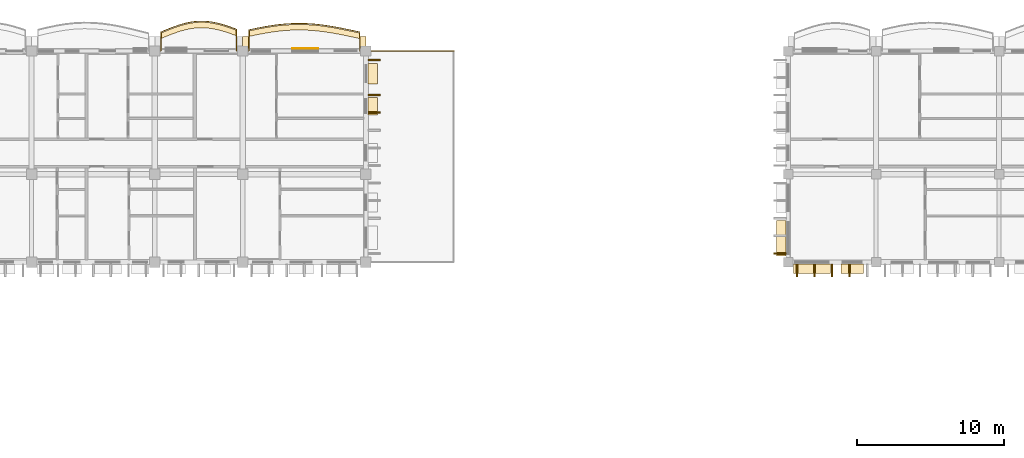
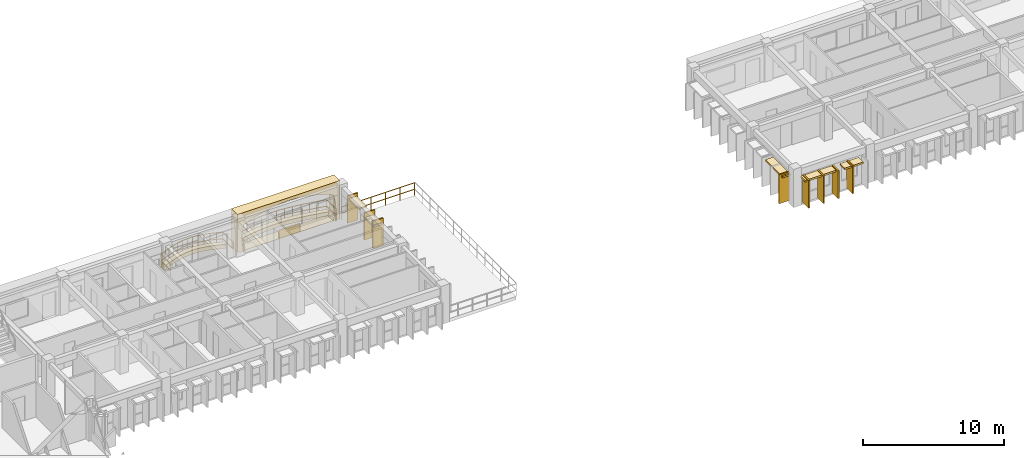
# One storey, part 51 of 66: 17 coverings, 3 railings.
"""IFC4 building model written with IfcOpenShell, lengths in metres."""

import ifcopenshell
import ifcopenshell.guid

model = None  # the IFC model being written
_history = None  # IfcOwnerHistory: only IFC2X3 demands one
_inside = {}  # id of a spatial element -> (the spatial element, [elements in it])
_under = {}  # id of a project, library or spatial element -> (it, [spatial elements below it])
_declared = {}  # id of a project -> (the project, [libraries it declares])
_typed = {}  # id of a type object -> (the type object, [elements of that type])
_made_of = {}  # id of a material, layer set ... -> (it, [elements and type objects made of it])


def new_model(schema):
    """Start an empty IFC model of exactly this schema.

    Asked for "IFC4X3", IfcOpenShell would pick the latest addendum, in which some entities
    have other attributes; the version numbers below select the first issue.
    IFC2X3 requires an IfcOwnerHistory on every rooted entity: one is made here for all.
    """
    global model, _history
    if schema == "IFC4X3":
        model = ifcopenshell.file(schema_version=(4, 3, 0, 0))
    else:
        model = ifcopenshell.file(schema=schema)
    _inside.clear()
    _under.clear()
    _declared.clear()
    _typed.clear()
    _made_of.clear()
    _history = None
    if model.schema == "IFC2X3":
        org = make("IfcOrganization", Name="unknown")
        user = make(
            "IfcPersonAndOrganization",
            ThePerson=make("IfcPerson", FamilyName="unknown"),
            TheOrganization=org,
        )
        app = make(
            "IfcApplication",
            ApplicationDeveloper=org,
            Version="unknown",
            ApplicationFullName="unknown",
            ApplicationIdentifier="unknown",
        )
        _history = make(
            "IfcOwnerHistory",
            OwningUser=user,
            OwningApplication=app,
            ChangeAction="ADDED",
            CreationDate=0,
        )
    return model


def make(cls, **values):
    """One entity of the class cls with the attributes given. An attribute that is None is left unset."""
    return model.create_entity(
        cls, **{name: value for name, value in values.items() if value is not None}
    )


def rooted(cls, **values):
    """An entity with a GlobalId (a new one), such as an element, a storey or a relation."""
    return make(cls, GlobalId=ifcopenshell.guid.new(), OwnerHistory=_history, **values)


def si_unit(unit_type, name, prefix=None):
    """IfcSIUnit, for example si_unit("LENGTHUNIT", "METRE", prefix="MILLI")."""
    return make("IfcSIUnit", UnitType=unit_type, Prefix=prefix, Name=name)


def assignment(units):
    """IfcUnitAssignment: the units of a project."""
    return None if units is None else make("IfcUnitAssignment", Units=units)


def point(xyz):
    """IfcCartesianPoint."""
    return None if xyz is None else make("IfcCartesianPoint", Coordinates=xyz)


def direction(xyz):
    """IfcDirection."""
    return None if xyz is None else make("IfcDirection", DirectionRatios=xyz)


def frame(location, z_axis=None, x_axis=None):
    """IfcAxis2Placement3D, a coordinate frame: its origin and axes. An axis left out is left unset."""
    return make(
        "IfcAxis2Placement3D",
        Location=point(location),
        Axis=direction(z_axis),
        RefDirection=direction(x_axis),
    )


def frame_2d(location, x_axis=None):
    """IfcAxis2Placement2D, a coordinate frame in the plane: its origin and x axis."""
    return make(
        "IfcAxis2Placement2D", Location=point(location), RefDirection=direction(x_axis)
    )


def origin():
    """The frame at (0, 0, 0) with its axes left unset."""
    return frame((0.0, 0.0, 0.0))


def origin_2d():
    """The frame at (0, 0) in the plane with its x axis left unset."""
    return frame_2d((0.0, 0.0))


def place(relative_to, where):
    """IfcLocalPlacement: puts the frame where relative to a parent placement (None: the world)."""
    return make(
        "IfcLocalPlacement", PlacementRelTo=relative_to, RelativePlacement=where
    )


def context(
    kind, dimensions, precision=None, world=None, true_north=None, identifier=None
):
    """IfcGeometricRepresentationContext, for example the 3D "Model" context."""
    return make(
        "IfcGeometricRepresentationContext",
        ContextIdentifier=identifier,
        ContextType=kind,
        CoordinateSpaceDimension=dimensions,
        Precision=precision,
        WorldCoordinateSystem=world,
        TrueNorth=true_north,
    )


def subcontext(parent, identifier, kind, view, scale=None):
    """IfcGeometricRepresentationSubContext, for example "Body" below "Model"."""
    return make(
        "IfcGeometricRepresentationSubContext",
        ContextIdentifier=identifier,
        ContextType=kind,
        ParentContext=parent,
        TargetScale=scale,
        TargetView=view,
    )


def project(units=None, contexts=None):
    """IfcProject with its units and contexts."""
    return rooted(
        "IfcProject",
        Name="project",
        RepresentationContexts=contexts,
        UnitsInContext=assignment(units),
    )


def spatial(cls, under=None, at=None, **own):
    """A site, building, storey or space (cls), placed at a placement, below another one or the project."""
    s = rooted(cls, ObjectPlacement=at, **own)
    if under is not None:
        _under.setdefault(under.id(), (under, []))[1].append(s)
    return s


def polyline(points):
    """IfcPolyline through the points."""
    return make("IfcPolyline", Points=[point(p) for p in points])


def profile(cls, at=None, kind="AREA", **sizes):
    """A parametric profile (cls). Its sizes go by their IFC names, for example OverallWidth=200.0."""
    return make(cls, ProfileType=kind, Position=at, **sizes)


def rectangle(**sizes):
    """IfcRectangleProfileDef."""
    return profile("IfcRectangleProfileDef", **sizes)


def outline(outer, holes=None, kind="AREA"):
    """IfcArbitraryClosedProfileDef: a profile drawn as a closed curve; with holes, ...WithVoids."""
    if holes is None:
        return make("IfcArbitraryClosedProfileDef", ProfileType=kind, OuterCurve=outer)
    return make(
        "IfcArbitraryProfileDefWithVoids",
        ProfileType=kind,
        OuterCurve=outer,
        InnerCurves=holes,
    )


def extrude(swept, where, along, depth):
    """IfcExtrudedAreaSolid: the profile swept, set in the frame where, extruded along a direction by depth."""
    return make(
        "IfcExtrudedAreaSolid",
        SweptArea=swept,
        Position=where,
        ExtrudedDirection=direction(along),
        Depth=depth,
    )


def shape(context_of_items, identifier, shape_type, items):
    """IfcShapeRepresentation: the items that make up one representation, for example the "Body"."""
    return make(
        "IfcShapeRepresentation",
        ContextOfItems=context_of_items,
        RepresentationIdentifier=identifier,
        RepresentationType=shape_type,
        Items=items,
    )


def material(Name=None, Category=None):
    """IfcMaterial."""
    return make("IfcMaterial", Name=Name, Category=Category)


def layer(
    of_material, thickness, ventilated=None, Name=None, Category=None, Priority=None
):
    """IfcMaterialLayer: one layer of a wall or slab, of a material (None: an air gap)."""
    return make(
        "IfcMaterialLayer",
        Material=of_material,
        LayerThickness=thickness,
        IsVentilated=ventilated,
        Name=Name,
        Category=Category,
        Priority=Priority,
    )


def layer_set(layers, Name=None):
    """IfcMaterialLayerSet."""
    return make("IfcMaterialLayerSet", MaterialLayers=layers, LayerSetName=Name)


def made_of(thing, what):
    """Note that an element or type object is made of a material, layer set ...; save() writes the relation."""
    if what is not None:
        _made_of.setdefault(what.id(), (what, []))[1].append(thing)
    return thing


def type_object(cls, material=None, **own):
    """A type object (cls), such as IfcWallType, which elements share."""
    return made_of(rooted(cls, **own), material)


def element(
    cls,
    number,
    at=None,
    inside=None,
    cuts=None,
    type_object=None,
    material=None,
    context=None,
    identifier="Body",
    shape_type=None,
    held_by="IfcProductDefinitionShape",
    body=None,
    shapes=None,
    **own,
):
    """One element of the class cls, such as IfcWall. Its Tag is "e" and its number.

    at: its placement. inside: the storey or other place that contains it. cuts: it is an
    opening in that element (IfcRelVoidsElement). A single representation is given by context,
    identifier, shape_type and body (its items); several are given by shapes. held_by: the class
    of the entity that holds the representations. save() writes the other relations.
    """
    e = rooted(cls, Tag="e%d" % number, ObjectPlacement=at, **own)
    if body is not None:
        shapes = [shape(context, identifier, shape_type, body)]
    if shapes is not None:
        e.Representation = make(held_by, Representations=shapes)
    if inside is not None:
        _inside.setdefault(inside.id(), (inside, []))[1].append(e)
    if cuts is not None:
        rooted(
            "IfcRelVoidsElement", RelatingBuildingElement=cuts, RelatedOpeningElement=e
        )
    if type_object is not None:
        _typed.setdefault(type_object.id(), (type_object, []))[1].append(e)
    return made_of(e, material)


def aggregate(whole, parts):
    """IfcRelAggregates: a whole, such as a stair, and the parts it consists of."""
    return rooted("IfcRelAggregates", RelatingObject=whole, RelatedObjects=parts)


def save(model, path):
    """Write the relations noted so far, then the file.

    IfcRelAggregates (storeys below a building ...), IfcRelContainedInSpatialStructure (elements
    in a storey), IfcRelDefinesByType, IfcRelAssociatesMaterial and IfcRelDeclares: one each for
    every whole, place, type object, material and project.
    """
    for whole, parts in _under.values():
        aggregate(whole, parts)
    for where, things in _inside.values():
        rooted(
            "IfcRelContainedInSpatialStructure",
            RelatedElements=things,
            RelatingStructure=where,
        )
    for kind, things in _typed.values():
        rooted("IfcRelDefinesByType", RelatedObjects=things, RelatingType=kind)
    for what, things in _made_of.values():
        rooted("IfcRelAssociatesMaterial", RelatedObjects=things, RelatingMaterial=what)
    for by, libraries in _declared.values():
        rooted("IfcRelDeclares", RelatingContext=by, RelatedDefinitions=libraries)
    model.write(path)


model = new_model("IFC4")

# Units and contexts
model_context = context("Model", 3, precision=1e-05, world=origin(), true_north=direction((0.0, 1.0)))
body_context = subcontext(model_context, "Body", "Model", "MODEL_VIEW")
ifc_project = project(units=[si_unit("LENGTHUNIT", "METRE"), si_unit("AREAUNIT", "SQUARE_METRE"), si_unit("VOLUMEUNIT", "CUBIC_METRE"), si_unit("PLANEANGLEUNIT", "RADIAN"), si_unit("MASSUNIT", "GRAM", prefix="KILO"), si_unit("THERMODYNAMICTEMPERATUREUNIT", "KELVIN")], contexts=[model_context])

# Site, building, storey
site_placement = place(None, origin())
site = spatial("IfcSite", under=ifc_project, at=site_placement, CompositionType="ELEMENT")
building_placement = place(site_placement, origin())
building = spatial("IfcBuilding", under=site, at=building_placement, Name="Thalorik Housing Commons", CompositionType="ELEMENT")
storey_placement = place(building_placement, frame((0.0, 0.0, 21.300048828125)))
storey = spatial("IfcBuildingStorey", under=building, at=storey_placement, Name="L06", CompositionType="ELEMENT", Elevation=21.300048828125)

# Coverings
ifc_material_1 = material(Name="Cobalt blue glazed ceramic facade tile panel", Category="masonry")
ifc_layer_1 = layer(ifc_material_1, 0.06005859375, Name="Cobalt blue glazed ceramic facade tile panel", Category="masonry")
ifc_layer_set_1 = layer_set([ifc_layer_1], Name="Cobalt blue glazed ceramic facade tile panel")
covering_type_1 = type_object("IfcCoveringType", Name="ARC-CLD-BLU-60", PredefinedType="CLADDING", material=ifc_layer_set_1)
covering_1_placement = place(storey_placement, frame((47.46630859375, 123.780029296875, 0.0498046875), z_axis=(0.0, 0.0, 1.0), x_axis=(-1.0, 0.0, 0.0)))
element("IfcCovering", 1, at=covering_1_placement, inside=storey, type_object=covering_type_1, Name="L06 De Stijl Recessed Window Spandrel 670", PredefinedType="CLADDING", context=body_context, shape_type="SweptSolid", body=[
    extrude(rectangle(XDim=1.75, YDim=0.06005859375, at=origin_2d()), origin(), (0.0, 0.0, 1.0), 0.699951171875),
])
ifc_material_2 = material(Name="Precast concrete C40/50", Category="concrete")
ifc_layer_2 = layer(ifc_material_2, 0.85009765625, Name="Precast concrete C40/50", Category="concrete")
ifc_layer_set_2 = layer_set([ifc_layer_2], Name="Precast concrete C40/50")
covering_type_2 = type_object("IfcCoveringType", Name="ARC-CLD-CUSH-850", PredefinedType="CLADDING", material=ifc_layer_set_2)
covering_2_placement = place(storey_placement, frame((47.39990234375, 124.169921875, 0.0), z_axis=(0.0, 0.0, 1.0), x_axis=(-1.0, 0.0, 0.0)))
element("IfcCovering", 2, at=covering_2_placement, inside=storey, type_object=covering_type_2, Name="L06 White Precast Curved Cushion Bay Frame 669", PredefinedType="CLADDING", context=body_context, shape_type="SweptSolid", body=[
    extrude(outline(polyline([(-4.199951171875, 0.0), (4.199951171875, 0.0), (4.199951171875, 3.300048828125), (-4.199951171875, 3.300048828125), (-4.199951171875, 0.0)]), holes=[polyline([(3.628662109375, 0.02490234375), (3.749267578125, 0.399169921875), (3.821533203125, 0.773193359375), (3.845703125, 1.1474609375), (3.821533203125, 1.521728515625), (3.749267578125, 1.895751953125), (3.628662109375, 2.27001953125), (3.023681640625, 2.50439453125), (2.418701171875, 2.6884765625), (1.81396484375, 2.837646484375), (1.208984375, 2.948486328125), (0.604248046875, 3.016845703125), (-0.000732421875, 3.0400390625), (-0.605712890625, 3.016845703125), (-1.21044921875, 2.948486328125), (-1.815185546875, 2.837646484375), (-2.420166015625, 2.6884765625), (-3.025146484375, 2.50439453125), (-3.6298828125, 2.27001953125), (-3.750244140625, 1.895751953125), (-3.822509765625, 1.521728515625), (-3.8466796875, 1.1474609375), (-3.822509765625, 0.773193359375), (-3.750244140625, 0.399169921875), (-3.6298828125, 0.02490234375), (3.628662109375, 0.02490234375)])]), frame((0.0, 0.425048828125, 0.0), z_axis=(0.0, -1.0, 0.0), x_axis=(1.0, 0.0, 0.0)), (0.0, 0.0, 1.0), 0.85009765625),
])
ifc_layer_3 = layer(ifc_material_2, 0.85009765625, Name="Precast concrete C40/50", Category="concrete")
ifc_layer_set_3 = layer_set([ifc_layer_3], Name="Precast concrete C40/50")
covering_type_3 = type_object("IfcCoveringType", Name="ARC-CLD-FIN-850", PredefinedType="CLADDING", material=ifc_layer_set_3)
for number, where, z_axis, x_axis, name in (
    (3, (52.169921875, 119.39990234375, 0.0400390625), (0.0, 0.0, 1.0), (0.0, 1.0, 0.0), "L06 Courtyard Precast Vertical Brise-Soleil Fin 663"),
    (4, (52.169921875, 120.60009765625, 0.0400390625), (0.0, 0.0, 1.0), (0.0, 1.0, 0.0), "L06 Courtyard Precast Vertical Brise-Soleil Fin 664"),
    (5, (52.169921875, 123.0, 0.0400390625), (0.0, 0.0, 1.0), (0.0, 1.0, 0.0), "L06 Courtyard Precast Vertical Brise-Soleil Fin 665"),
):
    element("IfcCovering", number, at=place(storey_placement, frame(where, z_axis=z_axis, x_axis=x_axis)), inside=storey, type_object=covering_type_3, Name=name, PredefinedType="CLADDING", context=body_context, shape_type="SweptSolid", body=[
        extrude(rectangle(XDim=0.110107421875, YDim=0.85009765625, at=origin_2d()), origin(), (0.0, 0.0, 1.0), 2.344970703125),
    ])
covering_3_placement = place(storey_placement, frame((79.83740234375, 109.800048828125, 0.039794921875), z_axis=(0.0, 0.0, 1.0), x_axis=(0.0, -1.0, 0.0)))
element("IfcCovering", 6, at=covering_3_placement, inside=storey, type_object=covering_type_3, Name="L06 Courtyard Precast Vertical Brise-Soleil Fin 2402", PredefinedType="CLADDING", context=body_context, shape_type="SweptSolid", body=[
    extrude(rectangle(XDim=0.110107421875, YDim=0.85009765625, at=origin_2d()), origin(), (0.0, 0.0, 1.0), 2.4951171875),
])
for number, where, z_axis, x_axis, name in (
    (7, (81.0, 108.637451171875, 0.0400390625), (0.0, 0.0, 1.0), (1.0, 0.0, 0.0), "L06 Courtyard Precast Vertical Brise-Soleil Fin 2405"),
    (8, (82.199951171875, 108.637451171875, 0.0400390625), (0.0, 0.0, 1.0), (1.0, 0.0, 0.0), "L06 Courtyard Precast Vertical Brise-Soleil Fin 2406"),
    (9, (83.39990234375, 108.637451171875, 0.0400390625), (0.0, 0.0, 1.0), (1.0, 0.0, 0.0), "L06 Courtyard Precast Vertical Brise-Soleil Fin 2407"),
    (10, (84.60009765625, 108.637451171875, 0.0400390625), (0.0, 0.0, 1.0), (1.0, 0.0, 0.0), "L06 Courtyard Precast Vertical Brise-Soleil Fin 2408"),
):
    element("IfcCovering", number, at=place(storey_placement, frame(where, z_axis=z_axis, x_axis=x_axis)), inside=storey, type_object=covering_type_3, Name=name, PredefinedType="CLADDING", context=body_context, shape_type="SweptSolid", body=[
        extrude(rectangle(XDim=0.110107421875, YDim=0.85009765625, at=origin_2d()), origin(), (0.0, 0.0, 1.0), 2.39501953125),
    ])
ifc_layer_4 = layer(ifc_material_2, 0.64990234375, Name="Precast concrete C40/50", Category="concrete")
ifc_layer_set_4 = layer_set([ifc_layer_4], Name="Precast concrete C40/50")
covering_type_4 = type_object("IfcCoveringType", Name="ARC-CLD-HOOD-650", PredefinedType="CLADDING", material=ifc_layer_set_4)
covering_4_placement = place(storey_placement, frame((52.070068359375, 122.044677734375, 2.16015625), z_axis=(0.0, 0.0, 1.0), x_axis=(0.0, 1.0, 0.0)))
element("IfcCovering", 11, at=covering_4_placement, inside=storey, type_object=covering_type_4, Name="L06 Courtyard Precast Window Sun-Hood 666", PredefinedType="CLADDING", context=body_context, shape_type="SweptSolid", body=[
    extrude(rectangle(XDim=1.389892578125, YDim=0.64990234375, at=origin_2d()), origin(), (0.0, 0.0, 1.0), 0.139892578125),
])
covering_5_placement = place(storey_placement, frame((52.070068359375, 119.8447265625, 1.93994140625), z_axis=(0.0, 0.0, 1.0), x_axis=(0.0, 1.0, 0.0)))
element("IfcCovering", 12, at=covering_5_placement, inside=storey, type_object=covering_type_4, Name="L06 Courtyard Precast Window Sun-Hood 668", PredefinedType="CLADDING", context=body_context, shape_type="SweptSolid", body=[
    extrude(rectangle(XDim=1.18994140625, YDim=0.64990234375, at=origin_2d()), origin(), (0.0, 0.0, 1.0), 0.139892578125),
])
covering_6_placement = place(storey_placement, frame((79.9375, 110.830078125, 2.27001953125), z_axis=(0.0, 0.0, 1.0), x_axis=(0.0, -1.0, 0.0)))
element("IfcCovering", 13, at=covering_6_placement, inside=storey, type_object=covering_type_4, Name="L06 Courtyard Precast Window Sun-Hood 2404", PredefinedType="CLADDING", context=body_context, shape_type="SweptSolid", body=[
    extrude(rectangle(XDim=2.419921875, YDim=0.64990234375, at=origin_2d()), origin(), (0.0, 0.0, 1.0), 0.139892578125),
])
covering_7_placement = place(storey_placement, frame((82.030029296875, 108.737548828125, 2.25), z_axis=(0.0, 0.0, 1.0), x_axis=(1.0, 0.0, 0.0)))
element("IfcCovering", 14, at=covering_7_placement, inside=storey, type_object=covering_type_4, Name="L06 Courtyard Precast Window Sun-Hood 2410", PredefinedType="CLADDING", context=body_context, shape_type="SweptSolid", body=[
    extrude(rectangle(XDim=2.52001953125, YDim=0.64990234375, at=origin_2d()), origin(), (0.0, 0.0, 1.0), 0.139892578125),
])
covering_8_placement = place(storey_placement, frame((84.77001953125, 108.737548828125, 2.18994140625), z_axis=(0.0, 0.0, 1.0), x_axis=(1.0, 0.0, 0.0)))
element("IfcCovering", 15, at=covering_8_placement, inside=storey, type_object=covering_type_4, Name="L06 Courtyard Precast Window Sun-Hood 2411", PredefinedType="CLADDING", context=body_context, shape_type="SweptSolid", body=[
    extrude(rectangle(XDim=1.5400390625, YDim=0.64990234375, at=origin_2d()), origin(), (0.0, 0.0, 1.0), 0.139892578125),
])
ifc_material_3 = material(Name="Planted vegetated substrate and terracotta trough", Category="masonry")
ifc_layer_5 = layer(ifc_material_3, 0.340087890625, Name="Planted vegetated substrate and terracotta trough", Category="masonry")
ifc_layer_set_5 = layer_set([ifc_layer_5], Name="Planted vegetated substrate and terracotta trough")
covering_type_5 = type_object("IfcCoveringType", Name="ARC-COV-PLANTER", PredefinedType="USERDEFINED", material=ifc_layer_set_5)
covering_9_placement = place(storey_placement, origin())
element("IfcCovering", 16, at=covering_9_placement, inside=storey, type_object=covering_type_5, Name="L06 Balcony Slab-Edge Planted Trough 5359", ObjectType="PLANTER", PredefinedType="USERDEFINED", context=body_context, shape_type="SweptSolid", body=[
    extrude(outline(polyline([(42.780029296875, 125.017578125), (42.35009765625, 125.17578125), (41.919921875, 125.31884765625), (41.489990234375, 125.43701171875), (41.06005859375, 125.522216796875), (40.6298828125, 125.56787109375), (40.199951171875, 125.570556640625), (39.77001953125, 125.529296875), (39.340087890625, 125.446533203125), (38.909912109375, 125.3271484375), (38.47998046875, 125.17822265625), (38.050048828125, 125.009521484375), (37.6201171875, 124.83154296875), (37.6201171875, 124.45166015625), (38.050048828125, 124.62939453125), (38.47998046875, 124.798095703125), (38.909912109375, 124.947021484375), (39.340087890625, 125.066650390625), (39.77001953125, 125.1494140625), (40.199951171875, 125.1904296875), (40.6298828125, 125.187744140625), (41.06005859375, 125.14208984375), (41.489990234375, 125.05712890625), (41.919921875, 124.938720703125), (42.35009765625, 124.795654296875), (42.780029296875, 124.6376953125), (42.780029296875, 125.017578125)])), origin(), (0.0, 0.0, 1.0), 0.33984375),
])
covering_10_placement = place(storey_placement, origin())
element("IfcCovering", 17, at=covering_10_placement, inside=storey, type_object=covering_type_5, Name="L06 Balcony Slab-Edge Planted Trough 5360", ObjectType="PLANTER", PredefinedType="USERDEFINED", context=body_context, shape_type="SweptSolid", body=[
    extrude(outline(polyline([(51.179931640625, 124.834228515625), (50.550048828125, 124.968017578125), (49.919921875, 125.09765625), (49.2900390625, 125.214599609375), (48.659912109375, 125.310791015625), (48.030029296875, 125.379638671875), (47.39990234375, 125.41650390625), (46.77001953125, 125.4189453125), (46.139892578125, 125.386474609375), (45.510009765625, 125.32080078125), (44.8798828125, 125.226806640625), (44.25, 125.110107421875), (43.6201171875, 124.978515625), (43.6201171875, 124.5986328125), (44.25, 124.72998046875), (44.8798828125, 124.8466796875), (45.510009765625, 124.94091796875), (46.139892578125, 125.00634765625), (46.77001953125, 125.038818359375), (47.39990234375, 125.03662109375), (48.030029296875, 124.99951171875), (48.659912109375, 124.9306640625), (49.2900390625, 124.83447265625), (49.919921875, 124.717529296875), (50.550048828125, 124.587890625), (51.179931640625, 124.4541015625), (51.179931640625, 124.834228515625)])), origin(), (0.0, 0.0, 1.0), 0.33984375),
])

# Railings
ifc_material_4 = material(Name="Steel S355", Category="steel")
railing_type_1 = type_object("IfcRailingType", Name="ARC-RL-BAL-112", PredefinedType="BALUSTRADE", material=ifc_material_4)
railing_1_placement = place(storey_placement, frame((51.179931640625, 123.60009765625, 0.0)))
element("IfcRailing", 18, at=railing_1_placement, inside=storey, type_object=railing_type_1, Name="L06 Cushion Balcony Guardrail 44", PredefinedType="BALUSTRADE", context=body_context, shape_type="SweptSolid", body=[
    extrude(rectangle(XDim=0.050048828125, YDim=0.050048828125, at=origin_2d()), frame((0.0, 0.0, 1.09521484375), z_axis=(0.0, 1.0, 0.0), x_axis=(-1.0, 0.0, 0.0)), (0.0, 0.0, 1.0), 1.30419921875),
    extrude(rectangle(XDim=0.050048828125, YDim=0.050048828125, at=origin_2d()), frame((0.0, 0.0, 0.53515625), z_axis=(0.0, 1.0, 0.0), x_axis=(-1.0, 0.0, 0.0)), (0.0, 0.0, 1.0), 1.30419921875),
    extrude(rectangle(XDim=0.050048828125, YDim=0.050048828125, at=origin_2d()), frame((0.0, 1.30419921875, 1.09521484375), z_axis=(-0.97825511098, 0.207405250274, 0.0), x_axis=(-0.207405250274, -0.97825511098, 0.0)), (0.0, 0.0, 1.0), 0.643798828125),
    extrude(rectangle(XDim=0.050048828125, YDim=0.050048828125, at=origin_2d()), frame((0.0, 1.30419921875, 0.53515625), z_axis=(-0.97825511098, 0.207405250274, 0.0), x_axis=(-0.207405250274, -0.97825511098, 0.0)), (0.0, 0.0, 1.0), 0.643798828125),
    extrude(rectangle(XDim=0.050048828125, YDim=0.050048828125, at=origin_2d()), frame((-0.6298828125, 1.437744140625, 1.09521484375), z_axis=(-0.97948569259, 0.201513716685, 0.0), x_axis=(-0.201513716685, -0.97948569259, 0.0)), (0.0, 0.0, 1.0), 0.643310546875),
    extrude(rectangle(XDim=0.050048828125, YDim=0.050048828125, at=origin_2d()), frame((-0.6298828125, 1.437744140625, 0.53515625), z_axis=(-0.97948569259, 0.201513716685, 0.0), x_axis=(-0.201513716685, -0.97948569259, 0.0)), (0.0, 0.0, 1.0), 0.643310546875),
    extrude(rectangle(XDim=0.050048828125, YDim=0.050048828125, at=origin_2d()), frame((-1.260009765625, 1.5673828125, 1.09521484375), z_axis=(-0.983198507998, 0.182539567958, 0.0), x_axis=(-0.182539567958, -0.983198507998, 0.0)), (0.0, 0.0, 1.0), 0.640625),
    extrude(rectangle(XDim=0.050048828125, YDim=0.050048828125, at=origin_2d()), frame((-1.260009765625, 1.5673828125, 0.53515625), z_axis=(-0.983198507998, 0.182539567958, 0.0), x_axis=(-0.182539567958, -0.983198507998, 0.0)), (0.0, 0.0, 1.0), 0.640625),
    extrude(rectangle(XDim=0.050048828125, YDim=0.050048828125, at=origin_2d()), frame((-1.889892578125, 1.684326171875, 1.09521484375), z_axis=(-0.988548141505, 0.150905837951, 0.0), x_axis=(-0.150905837951, -0.988548141505, 0.0)), (0.0, 0.0, 1.0), 0.637451171875),
    extrude(rectangle(XDim=0.050048828125, YDim=0.050048828125, at=origin_2d()), frame((-1.889892578125, 1.684326171875, 0.53515625), z_axis=(-0.988548141505, 0.150905837951, 0.0), x_axis=(-0.150905837951, -0.988548141505, 0.0)), (0.0, 0.0, 1.0), 0.637451171875),
    extrude(rectangle(XDim=0.050048828125, YDim=0.050048828125, at=origin_2d()), frame((-2.52001953125, 1.780517578125, 1.09521484375), z_axis=(-0.9940378091, 0.109035930223, 0.0), x_axis=(-0.109035930223, -0.9940378091, 0.0)), (0.0, 0.0, 1.0), 0.633544921875),
    extrude(rectangle(XDim=0.050048828125, YDim=0.050048828125, at=origin_2d()), frame((-2.52001953125, 1.780517578125, 0.53515625), z_axis=(-0.9940378091, 0.109035930223, 0.0), x_axis=(-0.109035930223, -0.9940378091, 0.0)), (0.0, 0.0, 1.0), 0.633544921875),
    extrude(rectangle(XDim=0.050048828125, YDim=0.050048828125, at=origin_2d()), frame((-3.14990234375, 1.849609375, 1.09521484375), z_axis=(-0.998292995103, 0.058404588245, 0.0), x_axis=(-0.058404588245, -0.998292995103, 0.0)), (0.0, 0.0, 1.0), 0.631103515625),
    extrude(rectangle(XDim=0.050048828125, YDim=0.050048828125, at=origin_2d()), frame((-3.14990234375, 1.849609375, 0.53515625), z_axis=(-0.998292995103, 0.058404588245, 0.0), x_axis=(-0.058404588245, -0.998292995103, 0.0)), (0.0, 0.0, 1.0), 0.631103515625),
    extrude(rectangle(XDim=0.050048828125, YDim=0.050048828125, at=origin_2d()), frame((-3.780029296875, 1.886474609375, 1.09521484375), z_axis=(-0.999992488517, 0.003875939878, 0.0), x_axis=(-0.003875939878, -0.999992488517, 0.0)), (0.0, 0.0, 1.0), 0.6298828125),
    extrude(rectangle(XDim=0.050048828125, YDim=0.050048828125, at=origin_2d()), frame((-3.780029296875, 1.886474609375, 0.53515625), z_axis=(-0.999992488517, 0.003875939878, 0.0), x_axis=(-0.003875939878, -0.999992488517, 0.0)), (0.0, 0.0, 1.0), 0.6298828125),
    extrude(rectangle(XDim=0.050048828125, YDim=0.050048828125, at=origin_2d()), frame((-4.409912109375, 1.888916015625, 1.09521484375), z_axis=(-0.998654986307, -0.05184803106, 0.0), x_axis=(0.05184803106, -0.998654986307, 0.0)), (0.0, 0.0, 1.0), 0.630859375),
    extrude(rectangle(XDim=0.050048828125, YDim=0.050048828125, at=origin_2d()), frame((-4.409912109375, 1.888916015625, 0.53515625), z_axis=(-0.998654986307, -0.05184803106, 0.0), x_axis=(0.05184803106, -0.998654986307, 0.0)), (0.0, 0.0, 1.0), 0.630859375),
    extrude(rectangle(XDim=0.050048828125, YDim=0.050048828125, at=origin_2d()), frame((-5.0400390625, 1.856201171875, 1.09521484375), z_axis=(-0.994648163406, -0.10332004178, 0.0), x_axis=(0.10332004178, -0.994648163406, 0.0)), (0.0, 0.0, 1.0), 0.63330078125),
    extrude(rectangle(XDim=0.050048828125, YDim=0.050048828125, at=origin_2d()), frame((-5.0400390625, 1.856201171875, 0.53515625), z_axis=(-0.994648163406, -0.10332004178, 0.0), x_axis=(0.10332004178, -0.994648163406, 0.0)), (0.0, 0.0, 1.0), 0.63330078125),
    extrude(rectangle(XDim=0.050048828125, YDim=0.050048828125, at=origin_2d()), frame((-5.669921875, 1.790771484375, 1.09521484375), z_axis=(-0.989000903893, -0.147909472647, 0.0), x_axis=(0.147909472647, -0.989000903893, 0.0)), (0.0, 0.0, 1.0), 0.63720703125),
    extrude(rectangle(XDim=0.050048828125, YDim=0.050048828125, at=origin_2d()), frame((-5.669921875, 1.790771484375, 0.53515625), z_axis=(-0.989000903893, -0.147909472647, 0.0), x_axis=(0.147909472647, -0.989000903893, 0.0)), (0.0, 0.0, 1.0), 0.63720703125),
    extrude(rectangle(XDim=0.050048828125, YDim=0.050048828125, at=origin_2d()), frame((-6.300048828125, 1.696533203125, 1.09521484375), z_axis=(-0.983266838, -0.182171142854, 0.0), x_axis=(0.182171142854, -0.983266838, 0.0)), (0.0, 0.0, 1.0), 0.640625),
    extrude(rectangle(XDim=0.050048828125, YDim=0.050048828125, at=origin_2d()), frame((-6.300048828125, 1.696533203125, 0.53515625), z_axis=(-0.983266838, -0.182171142854, 0.0), x_axis=(0.182171142854, -0.983266838, 0.0)), (0.0, 0.0, 1.0), 0.640625),
    extrude(rectangle(XDim=0.050048828125, YDim=0.050048828125, at=origin_2d()), frame((-6.929931640625, 1.579833984375, 1.09521484375), z_axis=(-0.978942522478, -0.204136076393, 0.0), x_axis=(0.204136076393, -0.978942522478, 0.0)), (0.0, 0.0, 1.0), 0.643310546875),
    extrude(rectangle(XDim=0.050048828125, YDim=0.050048828125, at=origin_2d()), frame((-6.929931640625, 1.579833984375, 0.53515625), z_axis=(-0.978942522478, -0.204136076393, 0.0), x_axis=(0.204136076393, -0.978942522478, 0.0)), (0.0, 0.0, 1.0), 0.643310546875),
    extrude(rectangle(XDim=0.050048828125, YDim=0.050048828125, at=origin_2d()), frame((-7.559814453125, 1.448486328125, 1.09521484375), z_axis=(0.0, -1.0, 0.0), x_axis=(1.0, 0.0, 0.0)), (0.0, 0.0, 1.0), 1.448486328125),
    extrude(rectangle(XDim=0.050048828125, YDim=0.050048828125, at=origin_2d()), frame((-7.559814453125, 1.448486328125, 0.53515625), z_axis=(0.0, -1.0, 0.0), x_axis=(1.0, 0.0, 0.0)), (0.0, 0.0, 1.0), 1.448486328125),
    extrude(rectangle(XDim=0.0419921875, YDim=0.0419921875, at=origin_2d()), origin(), (0.0, 0.0, 1.0), 1.070068359375),
    extrude(rectangle(XDim=0.0419921875, YDim=0.0419921875, at=origin_2d()), frame((0.0, 1.30419921875, 0.0)), (0.0, 0.0, 1.0), 1.070068359375),
    extrude(rectangle(XDim=0.0419921875, YDim=0.0419921875, at=origin_2d()), frame((-0.6298828125, 1.437744140625, 0.0)), (0.0, 0.0, 1.0), 1.070068359375),
    extrude(rectangle(XDim=0.0419921875, YDim=0.0419921875, at=origin_2d()), frame((-1.260009765625, 1.5673828125, 0.0)), (0.0, 0.0, 1.0), 1.070068359375),
    extrude(rectangle(XDim=0.0419921875, YDim=0.0419921875, at=origin_2d()), frame((-1.889892578125, 1.684326171875, 0.0)), (0.0, 0.0, 1.0), 1.070068359375),
    extrude(rectangle(XDim=0.0419921875, YDim=0.0419921875, at=origin_2d()), frame((-2.52001953125, 1.780517578125, 0.0)), (0.0, 0.0, 1.0), 1.070068359375),
    extrude(rectangle(XDim=0.0419921875, YDim=0.0419921875, at=origin_2d()), frame((-3.14990234375, 1.849609375, 0.0)), (0.0, 0.0, 1.0), 1.070068359375),
    extrude(rectangle(XDim=0.0419921875, YDim=0.0419921875, at=origin_2d()), frame((-3.780029296875, 1.886474609375, 0.0)), (0.0, 0.0, 1.0), 1.070068359375),
    extrude(rectangle(XDim=0.0419921875, YDim=0.0419921875, at=origin_2d()), frame((-4.409912109375, 1.888916015625, 0.0)), (0.0, 0.0, 1.0), 1.070068359375),
    extrude(rectangle(XDim=0.0419921875, YDim=0.0419921875, at=origin_2d()), frame((-5.0400390625, 1.856201171875, 0.0)), (0.0, 0.0, 1.0), 1.070068359375),
    extrude(rectangle(XDim=0.0419921875, YDim=0.0419921875, at=origin_2d()), frame((-5.669921875, 1.790771484375, 0.0)), (0.0, 0.0, 1.0), 1.070068359375),
    extrude(rectangle(XDim=0.0419921875, YDim=0.0419921875, at=origin_2d()), frame((-6.300048828125, 1.696533203125, 0.0)), (0.0, 0.0, 1.0), 1.070068359375),
    extrude(rectangle(XDim=0.0419921875, YDim=0.0419921875, at=origin_2d()), frame((-6.929931640625, 1.579833984375, 0.0)), (0.0, 0.0, 1.0), 1.070068359375),
    extrude(rectangle(XDim=0.0419921875, YDim=0.0419921875, at=origin_2d()), frame((-7.559814453125, 1.448486328125, 0.0)), (0.0, 0.0, 1.0), 1.070068359375),
    extrude(rectangle(XDim=0.0419921875, YDim=0.0419921875, at=origin_2d()), frame((-7.559814453125, 0.0, 0.0)), (0.0, 0.0, 1.0), 1.070068359375),
])
railing_type_2 = type_object("IfcRailingType", Name="ARC-RL-BAL-115", PredefinedType="BALUSTRADE", material=ifc_material_4)
railing_2_placement = place(storey_placement, frame((42.780029296875, 123.60009765625, 0.0)))
element("IfcRailing", 19, at=railing_2_placement, inside=storey, type_object=railing_type_2, Name="L06 Cushion Balcony Guardrail 43", PredefinedType="BALUSTRADE", context=body_context, shape_type="SweptSolid", body=[
    extrude(rectangle(XDim=0.050048828125, YDim=0.050048828125, at=origin_2d()), frame((0.0, 0.0, 1.125), z_axis=(0.0, 1.0, 0.0), x_axis=(-1.0, 0.0, 0.0)), (0.0, 0.0, 1.0), 1.487548828125),
    extrude(rectangle(XDim=0.050048828125, YDim=0.050048828125, at=origin_2d()), frame((0.0, 0.0, 0.5498046875), z_axis=(0.0, 1.0, 0.0), x_axis=(-1.0, 0.0, 0.0)), (0.0, 0.0, 1.0), 1.487548828125),
    extrude(rectangle(XDim=0.050048828125, YDim=0.050048828125, at=origin_2d()), frame((0.0, 1.487548828125, 1.125), z_axis=(-0.938652153889, 0.34486538533, 0.0), x_axis=(-0.34486538533, -0.938652153889, 0.0)), (0.0, 0.0, 1.0), 0.4580078125),
    extrude(rectangle(XDim=0.050048828125, YDim=0.050048828125, at=origin_2d()), frame((0.0, 1.487548828125, 0.5498046875), z_axis=(-0.938652153889, 0.34486538533, 0.0), x_axis=(-0.34486538533, -0.938652153889, 0.0)), (0.0, 0.0, 1.0), 0.4580078125),
    extrude(rectangle(XDim=0.050048828125, YDim=0.050048828125, at=origin_2d()), frame((-0.429931640625, 1.6455078125, 1.125), z_axis=(-0.94873712863, 0.316066228437, 0.0), x_axis=(-0.316066228437, -0.94873712863, 0.0)), (0.0, 0.0, 1.0), 0.453369140625),
    extrude(rectangle(XDim=0.050048828125, YDim=0.050048828125, at=origin_2d()), frame((-0.429931640625, 1.6455078125, 0.5498046875), z_axis=(-0.94873712863, 0.316066228437, 0.0), x_axis=(-0.316066228437, -0.94873712863, 0.0)), (0.0, 0.0, 1.0), 0.453369140625),
    extrude(rectangle(XDim=0.050048828125, YDim=0.050048828125, at=origin_2d()), frame((-0.860107421875, 1.788818359375, 1.125), z_axis=(-0.964243880098, 0.265016489476, 0.0), x_axis=(-0.265016489476, -0.964243880098, 0.0)), (0.0, 0.0, 1.0), 0.44580078125),
    extrude(rectangle(XDim=0.050048828125, YDim=0.050048828125, at=origin_2d()), frame((-0.860107421875, 1.788818359375, 0.5498046875), z_axis=(-0.964243880098, 0.265016489476, 0.0), x_axis=(-0.265016489476, -0.964243880098, 0.0)), (0.0, 0.0, 1.0), 0.44580078125),
    extrude(rectangle(XDim=0.050048828125, YDim=0.050048828125, at=origin_2d()), frame((-1.2900390625, 1.906982421875, 1.125), z_axis=(-0.981028048733, 0.193865849494, 0.0), x_axis=(-0.193865849494, -0.981028048733, 0.0)), (0.0, 0.0, 1.0), 0.438232421875),
    extrude(rectangle(XDim=0.050048828125, YDim=0.050048828125, at=origin_2d()), frame((-1.2900390625, 1.906982421875, 0.5498046875), z_axis=(-0.981028048733, 0.193865849494, 0.0), x_axis=(-0.193865849494, -0.981028048733, 0.0)), (0.0, 0.0, 1.0), 0.438232421875),
    extrude(rectangle(XDim=0.050048828125, YDim=0.050048828125, at=origin_2d()), frame((-1.719970703125, 1.991943359375, 1.125), z_axis=(-0.994415407692, 0.105536708989, 0.0), x_axis=(-0.105536708989, -0.994415407692, 0.0)), (0.0, 0.0, 1.0), 0.4326171875),
    extrude(rectangle(XDim=0.050048828125, YDim=0.050048828125, at=origin_2d()), frame((-1.719970703125, 1.991943359375, 0.5498046875), z_axis=(-0.994415407692, 0.105536708989, 0.0), x_axis=(-0.105536708989, -0.994415407692, 0.0)), (0.0, 0.0, 1.0), 0.4326171875),
    extrude(rectangle(XDim=0.050048828125, YDim=0.050048828125, at=origin_2d()), frame((-2.150146484375, 2.03759765625, 1.125), z_axis=(-0.999980491497, 0.006246329021, 0.0), x_axis=(-0.006246329021, -0.999980491497, 0.0)), (0.0, 0.0, 1.0), 0.429931640625),
    extrude(rectangle(XDim=0.050048828125, YDim=0.050048828125, at=origin_2d()), frame((-2.150146484375, 2.03759765625, 0.5498046875), z_axis=(-0.999980491497, 0.006246329021, 0.0), x_axis=(-0.006246329021, -0.999980491497, 0.0)), (0.0, 0.0, 1.0), 0.429931640625),
    extrude(rectangle(XDim=0.050048828125, YDim=0.050048828125, at=origin_2d()), frame((-2.580078125, 2.040283203125, 1.125), z_axis=(-0.995480215882, -0.094969151771, 0.0), x_axis=(0.094969151771, -0.995480215882, 0.0)), (0.0, 0.0, 1.0), 0.431884765625),
    extrude(rectangle(XDim=0.050048828125, YDim=0.050048828125, at=origin_2d()), frame((-2.580078125, 2.040283203125, 0.5498046875), z_axis=(-0.995480215882, -0.094969151771, 0.0), x_axis=(0.094969151771, -0.995480215882, 0.0)), (0.0, 0.0, 1.0), 0.431884765625),
    extrude(rectangle(XDim=0.050048828125, YDim=0.050048828125, at=origin_2d()), frame((-3.010009765625, 1.999267578125, 1.125), z_axis=(-0.98197063341, -0.189033529089, 0.0), x_axis=(0.189033529089, -0.98197063341, 0.0)), (0.0, 0.0, 1.0), 0.437744140625),
    extrude(rectangle(XDim=0.050048828125, YDim=0.050048828125, at=origin_2d()), frame((-3.010009765625, 1.999267578125, 0.5498046875), z_axis=(-0.98197063341, -0.189033529089, 0.0), x_axis=(0.189033529089, -0.98197063341, 0.0)), (0.0, 0.0, 1.0), 0.437744140625),
    extrude(rectangle(XDim=0.050048828125, YDim=0.050048828125, at=origin_2d()), frame((-3.43994140625, 1.91650390625, 1.125), z_axis=(-0.963580561434, -0.267418214836, 0.0), x_axis=(0.267418214836, -0.963580561434, 0.0)), (0.0, 0.0, 1.0), 0.446533203125),
    extrude(rectangle(XDim=0.050048828125, YDim=0.050048828125, at=origin_2d()), frame((-3.43994140625, 1.91650390625, 0.5498046875), z_axis=(-0.963580561434, -0.267418214836, 0.0), x_axis=(0.267418214836, -0.963580561434, 0.0)), (0.0, 0.0, 1.0), 0.446533203125),
    extrude(rectangle(XDim=0.050048828125, YDim=0.050048828125, at=origin_2d()), frame((-3.8701171875, 1.797119140625, 1.125), z_axis=(-0.944915878201, -0.327313279786, 0.0), x_axis=(0.327313279786, -0.944915878201, 0.0)), (0.0, 0.0, 1.0), 0.455078125),
    extrude(rectangle(XDim=0.050048828125, YDim=0.050048828125, at=origin_2d()), frame((-3.8701171875, 1.797119140625, 0.5498046875), z_axis=(-0.944915878201, -0.327313279786, 0.0), x_axis=(0.327313279786, -0.944915878201, 0.0)), (0.0, 0.0, 1.0), 0.455078125),
    extrude(rectangle(XDim=0.050048828125, YDim=0.050048828125, at=origin_2d()), frame((-4.300048828125, 1.648193359375, 1.125), z_axis=(-0.930899197283, -0.365276175651, 0.0), x_axis=(0.365276175651, -0.930899197283, 0.0)), (0.0, 0.0, 1.0), 0.4619140625),
    extrude(rectangle(XDim=0.050048828125, YDim=0.050048828125, at=origin_2d()), frame((-4.300048828125, 1.648193359375, 0.5498046875), z_axis=(-0.930899197283, -0.365276175651, 0.0), x_axis=(0.365276175651, -0.930899197283, 0.0)), (0.0, 0.0, 1.0), 0.4619140625),
    extrude(rectangle(XDim=0.050048828125, YDim=0.050048828125, at=origin_2d()), frame((-4.72998046875, 1.4794921875, 1.125), z_axis=(-0.923959293734, -0.382490814953, 0.0), x_axis=(0.382490814953, -0.923959293734, 0.0)), (0.0, 0.0, 1.0), 0.46533203125),
    extrude(rectangle(XDim=0.050048828125, YDim=0.050048828125, at=origin_2d()), frame((-4.72998046875, 1.4794921875, 0.5498046875), z_axis=(-0.923959293734, -0.382490814953, 0.0), x_axis=(0.382490814953, -0.923959293734, 0.0)), (0.0, 0.0, 1.0), 0.46533203125),
    extrude(rectangle(XDim=0.050048828125, YDim=0.050048828125, at=origin_2d()), frame((-5.159912109375, 1.301513671875, 1.125), z_axis=(0.0, -1.0, 0.0), x_axis=(1.0, 0.0, 0.0)), (0.0, 0.0, 1.0), 1.301513671875),
    extrude(rectangle(XDim=0.050048828125, YDim=0.050048828125, at=origin_2d()), frame((-5.159912109375, 1.301513671875, 0.5498046875), z_axis=(0.0, -1.0, 0.0), x_axis=(1.0, 0.0, 0.0)), (0.0, 0.0, 1.0), 1.301513671875),
    extrude(rectangle(XDim=0.0419921875, YDim=0.0419921875, at=origin_2d()), origin(), (0.0, 0.0, 1.0), 1.099853515625),
    extrude(rectangle(XDim=0.0419921875, YDim=0.0419921875, at=origin_2d()), frame((0.0, 1.487548828125, 0.0)), (0.0, 0.0, 1.0), 1.099853515625),
    extrude(rectangle(XDim=0.0419921875, YDim=0.0419921875, at=origin_2d()), frame((-0.429931640625, 1.6455078125, 0.0)), (0.0, 0.0, 1.0), 1.099853515625),
    extrude(rectangle(XDim=0.0419921875, YDim=0.0419921875, at=origin_2d()), frame((-0.860107421875, 1.788818359375, 0.0)), (0.0, 0.0, 1.0), 1.099853515625),
    extrude(rectangle(XDim=0.0419921875, YDim=0.0419921875, at=origin_2d()), frame((-1.2900390625, 1.906982421875, 0.0)), (0.0, 0.0, 1.0), 1.099853515625),
    extrude(rectangle(XDim=0.0419921875, YDim=0.0419921875, at=origin_2d()), frame((-1.719970703125, 1.991943359375, 0.0)), (0.0, 0.0, 1.0), 1.099853515625),
    extrude(rectangle(XDim=0.0419921875, YDim=0.0419921875, at=origin_2d()), frame((-2.150146484375, 2.03759765625, 0.0)), (0.0, 0.0, 1.0), 1.099853515625),
    extrude(rectangle(XDim=0.0419921875, YDim=0.0419921875, at=origin_2d()), frame((-2.580078125, 2.040283203125, 0.0)), (0.0, 0.0, 1.0), 1.099853515625),
    extrude(rectangle(XDim=0.0419921875, YDim=0.0419921875, at=origin_2d()), frame((-3.010009765625, 1.999267578125, 0.0)), (0.0, 0.0, 1.0), 1.099853515625),
    extrude(rectangle(XDim=0.0419921875, YDim=0.0419921875, at=origin_2d()), frame((-3.43994140625, 1.91650390625, 0.0)), (0.0, 0.0, 1.0), 1.099853515625),
    extrude(rectangle(XDim=0.0419921875, YDim=0.0419921875, at=origin_2d()), frame((-3.8701171875, 1.797119140625, 0.0)), (0.0, 0.0, 1.0), 1.099853515625),
    extrude(rectangle(XDim=0.0419921875, YDim=0.0419921875, at=origin_2d()), frame((-4.300048828125, 1.648193359375, 0.0)), (0.0, 0.0, 1.0), 1.099853515625),
    extrude(rectangle(XDim=0.0419921875, YDim=0.0419921875, at=origin_2d()), frame((-4.72998046875, 1.4794921875, 0.0)), (0.0, 0.0, 1.0), 1.099853515625),
    extrude(rectangle(XDim=0.0419921875, YDim=0.0419921875, at=origin_2d()), frame((-5.159912109375, 1.301513671875, 0.0)), (0.0, 0.0, 1.0), 1.099853515625),
    extrude(rectangle(XDim=0.0419921875, YDim=0.0419921875, at=origin_2d()), frame((-5.159912109375, 0.0, 0.0)), (0.0, 0.0, 1.0), 1.099853515625),
])
railing_type_3 = type_object("IfcRailingType", Name="ARC-RL-TER-112", PredefinedType="GUARDRAIL", material=ifc_material_4)
railing_3_placement = place(storey_placement, frame((57.60009765625, 123.60009765625, 0.0)))
element("IfcRailing", 20, at=railing_3_placement, inside=storey, type_object=railing_type_3, Name="L06 L06 East Sky-Garden Terrace Edge Guardrail", PredefinedType="GUARDRAIL", context=body_context, shape_type="SweptSolid", body=[
    extrude(rectangle(XDim=0.048095703125, YDim=0.048095703125, at=origin_2d()), frame((0.0, 0.0, 1.09619140625), z_axis=(-1.0, 0.0, 0.0), x_axis=(0.0, -1.0, 0.0)), (0.0, 0.0, 1.0), 5.9501953125),
    extrude(rectangle(XDim=0.048095703125, YDim=0.048095703125, at=origin_2d()), frame((0.0, 0.0, 0.5361328125), z_axis=(-1.0, 0.0, 0.0), x_axis=(0.0, -1.0, 0.0)), (0.0, 0.0, 1.0), 5.9501953125),
    extrude(rectangle(XDim=0.0419921875, YDim=0.0419921875, at=origin_2d()), origin(), (0.0, 0.0, 1.0), 1.072021484375),
    extrude(rectangle(XDim=0.0419921875, YDim=0.0419921875, at=origin_2d()), frame((-1.18994140625, 0.0, 0.0)), (0.0, 0.0, 1.0), 1.072021484375),
    extrude(rectangle(XDim=0.0419921875, YDim=0.0419921875, at=origin_2d()), frame((-2.380126953125, 0.0, 0.0)), (0.0, 0.0, 1.0), 1.072021484375),
    extrude(rectangle(XDim=0.0419921875, YDim=0.0419921875, at=origin_2d()), frame((-3.570068359375, 0.0, 0.0)), (0.0, 0.0, 1.0), 1.072021484375),
    extrude(rectangle(XDim=0.0419921875, YDim=0.0419921875, at=origin_2d()), frame((-4.76025390625, 0.0, 0.0)), (0.0, 0.0, 1.0), 1.072021484375),
    extrude(rectangle(XDim=0.0419921875, YDim=0.0419921875, at=origin_2d()), frame((-5.9501953125, 0.0, 0.0)), (0.0, 0.0, 1.0), 1.072021484375),
])

save(model, "model.ifc")
